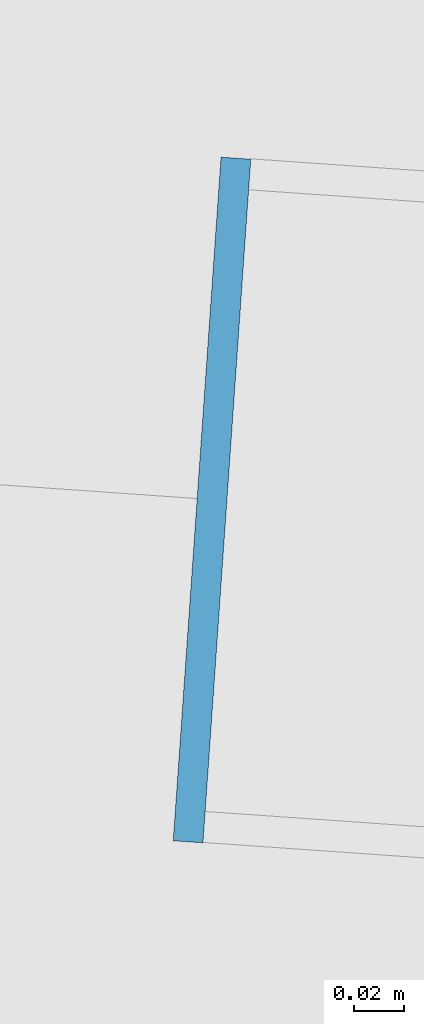
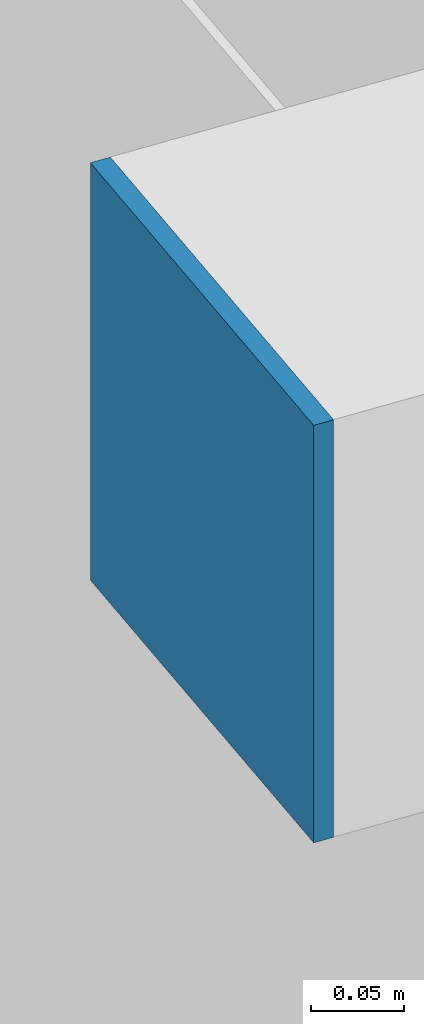
# One storey, part 29 of 39: 1 plate.
"""IFC4 building model written with IfcOpenShell, lengths in metres."""

from ifc_helpers import new_model, si_unit, direction, frame, origin, origin_2d, place, context, subcontext, project, spatial, rectangle, extrude, source, transform, mapped, material, layer, layer_set, type_object, element, save


model = new_model("IFC4")

# Units and contexts
model_context = context("Model", 3, precision=1e-05, world=origin(), true_north=direction((0.0, 1.0)))
body_context = subcontext(model_context, "Body", "Model", "MODEL_VIEW")
ifc_project = project(units=[si_unit("LENGTHUNIT", "METRE"), si_unit("AREAUNIT", "SQUARE_METRE"), si_unit("VOLUMEUNIT", "CUBIC_METRE"), si_unit("PLANEANGLEUNIT", "RADIAN"), si_unit("MASSUNIT", "GRAM", prefix="KILO")], contexts=[model_context])

# Site, building, storey
site_placement = place(None, origin())
site = spatial("IfcSite", under=ifc_project, at=site_placement, CompositionType="ELEMENT")
building_placement = place(site_placement, origin())
building = spatial("IfcBuilding", under=site, at=building_placement, Name="Taldren Reach Tower", CompositionType="ELEMENT")
storey_placement = place(building_placement, frame((0.0, 0.0, 155.050048828125)))
storey = spatial("IfcBuildingStorey", under=building, at=storey_placement, Name="L47", CompositionType="ELEMENT", Elevation=155.050048828125)

# Plate
ifc_material = material(Name="Steel Gr 450 (C450L0)", Category="steel")
ifc_layer = layer(ifc_material, 0.011962890625)
ifc_layer_set = layer_set([ifc_layer], Name="Steel Gr 450 (C450L0)")
plate_type = type_object("IfcPlateType", Name="PL-CAP-275", PredefinedType="SHEET", material=ifc_layer_set)
shared_shape = source(origin(), body_context, "Body", "SweptSolid", [
    extrude(rectangle(XDim=0.011962890625, YDim=0.27490234375, at=origin_2d()), origin(), (0.0, 0.0, 1.0), 0.27490234375),
])
plate_placement = place(storey_placement, frame((8.3095703125, 21.976806640625, 2.512451171875), z_axis=(0.0, 0.0, 1.0), x_axis=(0.99756405026, -0.069756473744, 0.0)))
element("IfcPlate", 1, at=plate_placement, inside=storey, type_object=plate_type, Name="Tie strut end cap plate B3-W2 L47", PredefinedType="SHEET", context=body_context, shape_type="MappedRepresentation", body=[
    mapped(shared_shape, transform((0.0, 0.0, 0.0), scale=1.0)),
])

save(model, "model.ifc")
